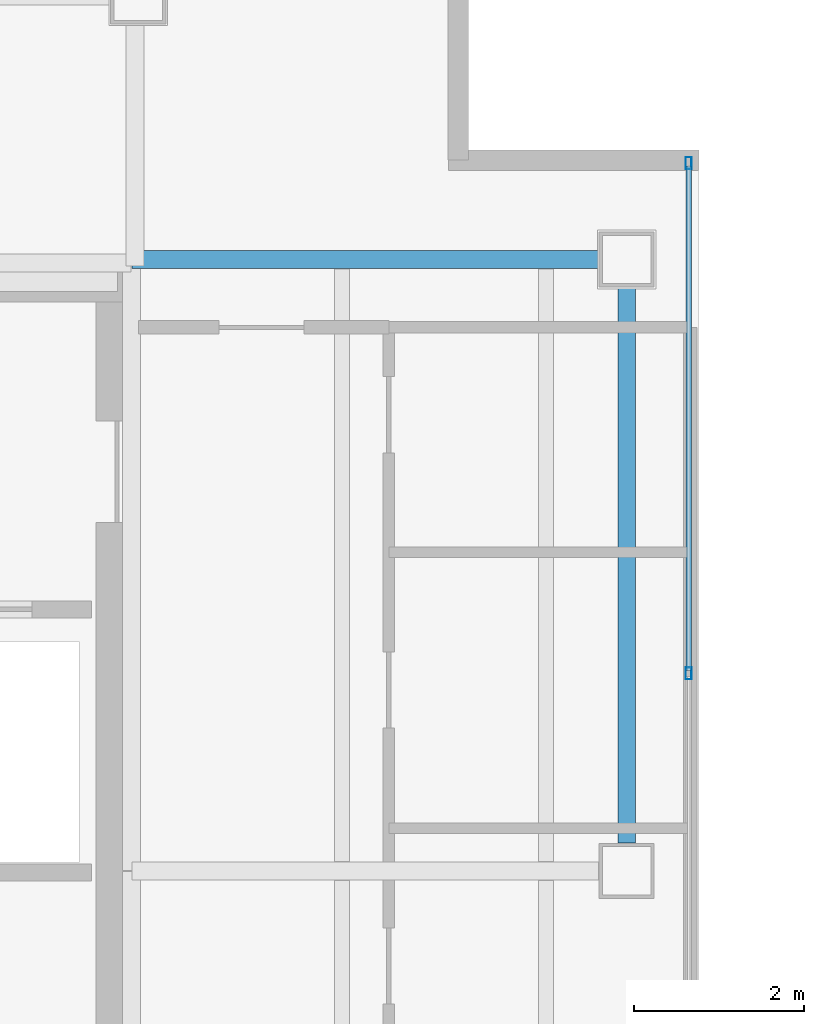
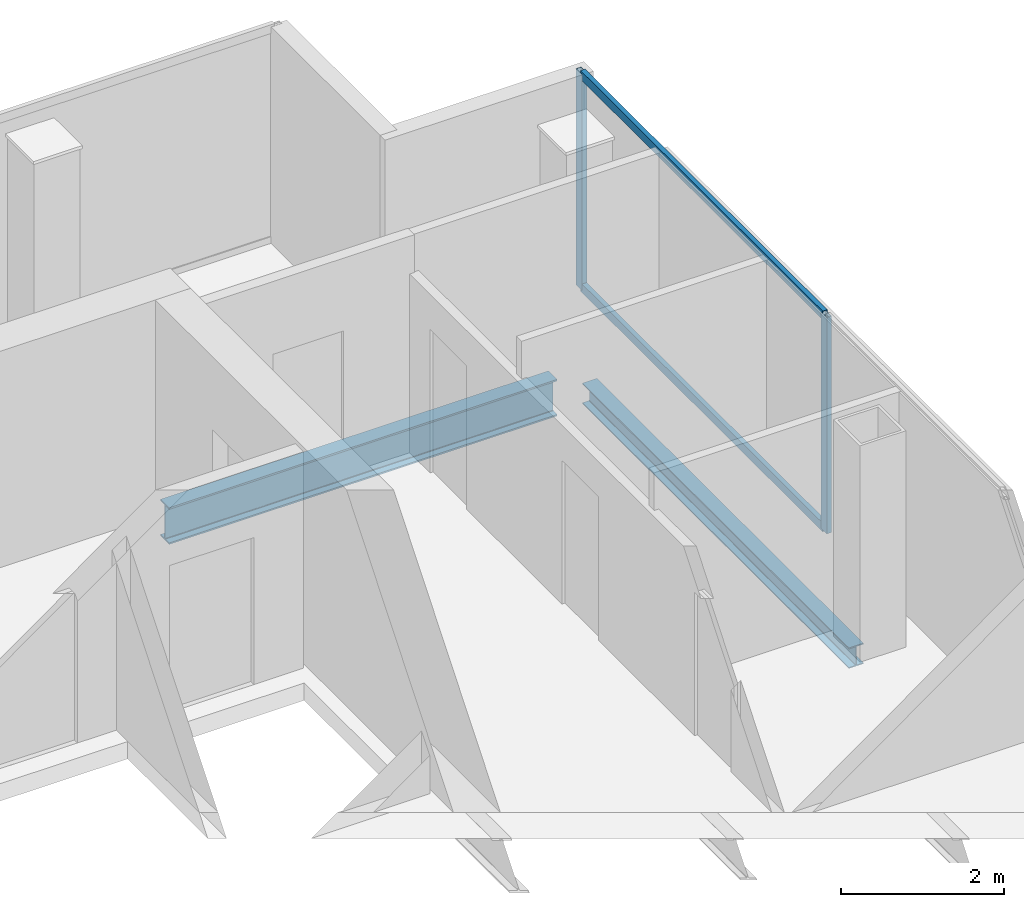
# One storey, part 11 of 24: 4 members, 2 beams, 1 element without a shape of its own.
"""IFC4 building model written with IfcOpenShell, lengths in metres."""

from ifc_helpers import new_model, si_unit, direction, frame, origin, origin_2d, place, context, subcontext, project, spatial, hollow_rectangle, i_section, extrude, material, material_profile, profile_set, type_object, element, aggregate, save


model = new_model("IFC4")

# Units and contexts
model_context = context("Model", 3, precision=1e-05, world=origin(), true_north=direction((0.0, 1.0)))
body_context = subcontext(model_context, "Body", "Model", "MODEL_VIEW")
ifc_project = project(units=[si_unit("LENGTHUNIT", "METRE"), si_unit("AREAUNIT", "SQUARE_METRE"), si_unit("VOLUMEUNIT", "CUBIC_METRE"), si_unit("PLANEANGLEUNIT", "RADIAN"), si_unit("MASSUNIT", "GRAM", prefix="KILO")], contexts=[model_context])

# Site, building, storey
site_placement = place(None, origin())
site = spatial("IfcSite", under=ifc_project, at=site_placement, CompositionType="ELEMENT")
building_placement = place(site_placement, origin())
building = spatial("IfcBuilding", under=site, at=building_placement, Name="Cobrela Telecom Tower", CompositionType="ELEMENT")
storey_placement = place(building_placement, frame((0.0, 0.0, 290.14990234375)))
storey = spatial("IfcBuildingStorey", under=building, at=storey_placement, Name="L76", CompositionType="ELEMENT", Elevation=290.14990234375)

# Beams
ifc_material_1 = material(Name="Steel ASTM A992 Grade 50", Category="steel")
ifc_material_profile_1 = material_profile(ifc_material_1, i_section(OverallWidth=0.212890625, OverallDepth=0.549072265625, WebThickness=0.0146484375, FlangeThickness=0.023681640625, FilletRadius=0.013916015625, at=origin_2d()), Name="W21X93")
ifc_profile_set_1 = profile_set([ifc_material_profile_1], Name="Steel ASTM A992 Grade 50")
beam_type_1 = type_object("IfcBeamType", Name="BM-GIRD-08", PredefinedType="USERDEFINED", material=ifc_profile_set_1)
beam_1_placement = place(storey_placement, frame((14.324951171875, 36.0, -0.534423828125), z_axis=(1.0, 0.0, 0.0), x_axis=(0.0, 1.0, 0.0)))
element("IfcBeam", 1, at=beam_1_placement, inside=storey, type_object=beam_type_1, Name="L76 Primary Girder X18", ObjectType="GIRDER", PredefinedType="USERDEFINED", context=body_context, shape_type="SweptSolid", body=[
    extrude(i_section(OverallWidth=0.212890625, OverallDepth=0.549072265625, WebThickness=0.0146484375, FlangeThickness=0.023681640625, FilletRadius=0.013916015625, at=origin_2d()), origin(), (0.0, 0.0, 1.0), 5.4951171875),
])
ifc_material_profile_2 = material_profile(ifc_material_1, i_section(OverallWidth=0.205078125, OverallDepth=0.31005859375, WebThickness=0.009521484375, FlangeThickness=0.016357421875, FilletRadius=0.010986328125, at=origin_2d()), Name="W12X50")
ifc_profile_set_2 = profile_set([ifc_material_profile_2], Name="Steel ASTM A992 Grade 50")
beam_type_2 = type_object("IfcBeamType", Name="BM-SPAND-07", PredefinedType="SPANDREL", material=ifc_profile_set_2)
beam_2_placement = place(storey_placement, frame((20.14990234375, 29.1298828125, -0.414794921875), z_axis=(0.0, 1.0, 0.0), x_axis=(-1.0, 0.0, 0.0)))
element("IfcBeam", 2, at=beam_2_placement, inside=storey, type_object=beam_type_2, Name="L76 Perimeter Spandrel Y26", PredefinedType="SPANDREL", context=body_context, shape_type="SweptSolid", body=[
    extrude(i_section(OverallWidth=0.205078125, OverallDepth=0.31005859375, WebThickness=0.009521484375, FlangeThickness=0.016357421875, FilletRadius=0.010986328125, at=origin_2d()), origin(), (0.0, 0.0, 1.0), 6.5400390625),
])

# Curtain wall, members
ifc_material_2 = material(Name="Anodized Bronze Aluminium 6063-T6", Category="aluminium")
curtain_wall_type = type_object("IfcCurtainWallType", Name="CW-SYS-OFF-HI", PredefinedType="USERDEFINED", material=ifc_material_2)
curtain_wall_placement = place(storey_placement, origin())
curtain_wall = element("IfcCurtainWall", 3, at=curtain_wall_placement, inside=storey, type_object=curtain_wall_type, Name="L76 Unitised Bronze Curtain Wall 08", ObjectType="UNITISED CURTAIN WALL", PredefinedType="USERDEFINED")
ifc_material_profile_3 = material_profile(ifc_material_2, hollow_rectangle(XDim=0.070068359375, YDim=0.139892578125, WallThickness=0.00390625, at=origin_2d()), Name="ALU 70x140x4")
ifc_profile_set_3 = profile_set([ifc_material_profile_3], Name="Anodized Bronze Aluminium 6063-T6")
member_type_1 = type_object("IfcMemberType", Name="CW-SYS-OFF-HI-MUL", PredefinedType="MULLION", material=ifc_profile_set_3)
member_1_placement = place(storey_placement, frame((20.8798828125, 37.135009765625, 0.0), z_axis=(0.0, 0.0, 1.0), x_axis=(1.0, 0.0, 0.0)))
member_1 = element("IfcMember", 4, at=member_1_placement, type_object=member_type_1, Name="CW-OFF-HI mullion 1", PredefinedType="MULLION", context=body_context, shape_type="SweptSolid", body=[
    extrude(hollow_rectangle(XDim=0.070068359375, YDim=0.139892578125, WallThickness=0.00390625, at=origin_2d()), origin(), (0.0, 0.0, 1.0), 3.239990234375),
])
member_2_placement = place(storey_placement, frame((20.8798828125, 31.125, 0.0), z_axis=(0.0, 0.0, 1.0), x_axis=(1.0, 0.0, 0.0)))
member_2 = element("IfcMember", 5, at=member_2_placement, type_object=member_type_1, Name="CW-OFF-HI mullion 2", PredefinedType="MULLION", context=body_context, shape_type="SweptSolid", body=[
    extrude(hollow_rectangle(XDim=0.070068359375, YDim=0.139892578125, WallThickness=0.00390625, at=origin_2d()), origin(), (0.0, 0.0, 1.0), 3.239990234375),
])
ifc_material_profile_4 = material_profile(ifc_material_2, hollow_rectangle(XDim=0.06494140625, YDim=0.1298828125, WallThickness=0.00390625, at=origin_2d()), Name="ALU 65x130x4")
ifc_profile_set_4 = profile_set([ifc_material_profile_4], Name="Anodized Bronze Aluminium 6063-T6")
member_type_2 = type_object("IfcMemberType", Name="CW-SYS-OFF-HI-TRN", PredefinedType="USERDEFINED", material=ifc_profile_set_4)
member_3_placement = place(storey_placement, frame((20.8798828125, 37.10009765625, 0.03271484375), z_axis=(0.0, -1.0, 0.0), x_axis=(1.0, 0.0, 0.0)))
member_3 = element("IfcMember", 6, at=member_3_placement, type_object=member_type_2, Name="CW-OFF-HI transom 1.1", ObjectType="TRANSOM", PredefinedType="USERDEFINED", context=body_context, shape_type="SweptSolid", body=[
    extrude(hollow_rectangle(XDim=0.06494140625, YDim=0.1298828125, WallThickness=0.00390625, at=origin_2d()), origin(), (0.0, 0.0, 1.0), 5.940185546875),
])
member_4_placement = place(storey_placement, frame((20.8798828125, 37.10009765625, 3.20751953125), z_axis=(0.0, -1.0, 0.0), x_axis=(1.0, 0.0, 0.0)))
member_4 = element("IfcMember", 7, at=member_4_placement, type_object=member_type_2, Name="CW-OFF-HI transom 1.2", ObjectType="TRANSOM", PredefinedType="USERDEFINED", context=body_context, shape_type="SweptSolid", body=[
    extrude(hollow_rectangle(XDim=0.06494140625, YDim=0.1298828125, WallThickness=0.00390625, at=origin_2d()), origin(), (0.0, 0.0, 1.0), 5.940185546875),
])
aggregate(curtain_wall, [member_1, member_2, member_3, member_4])

save(model, "model.ifc")
